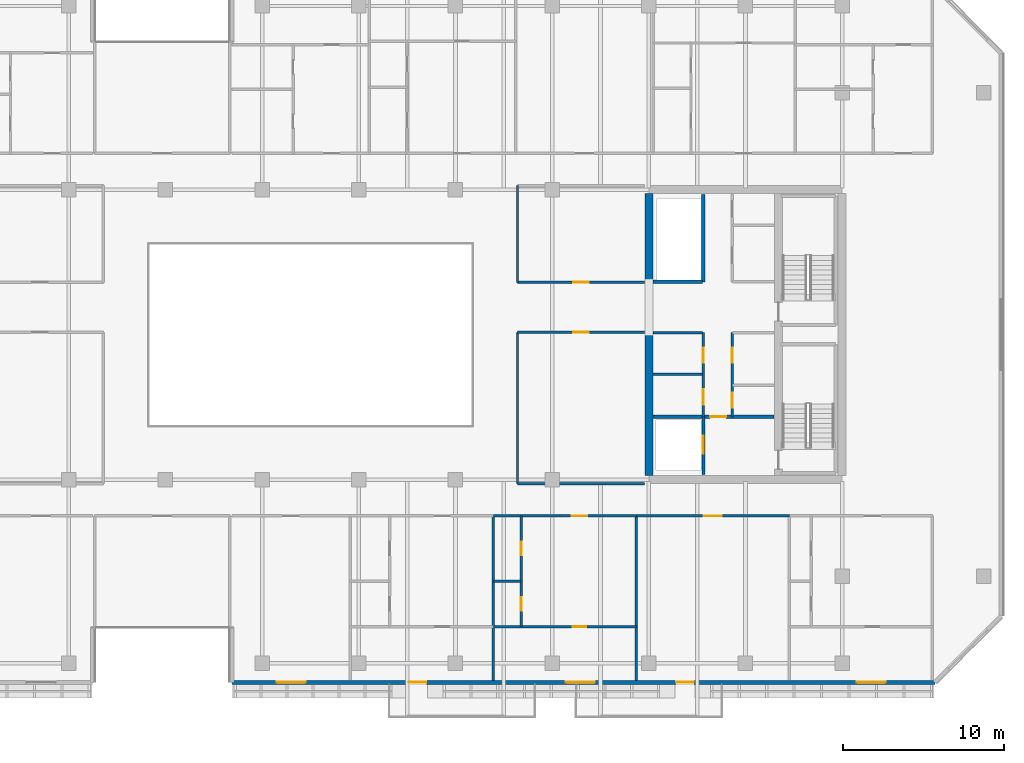
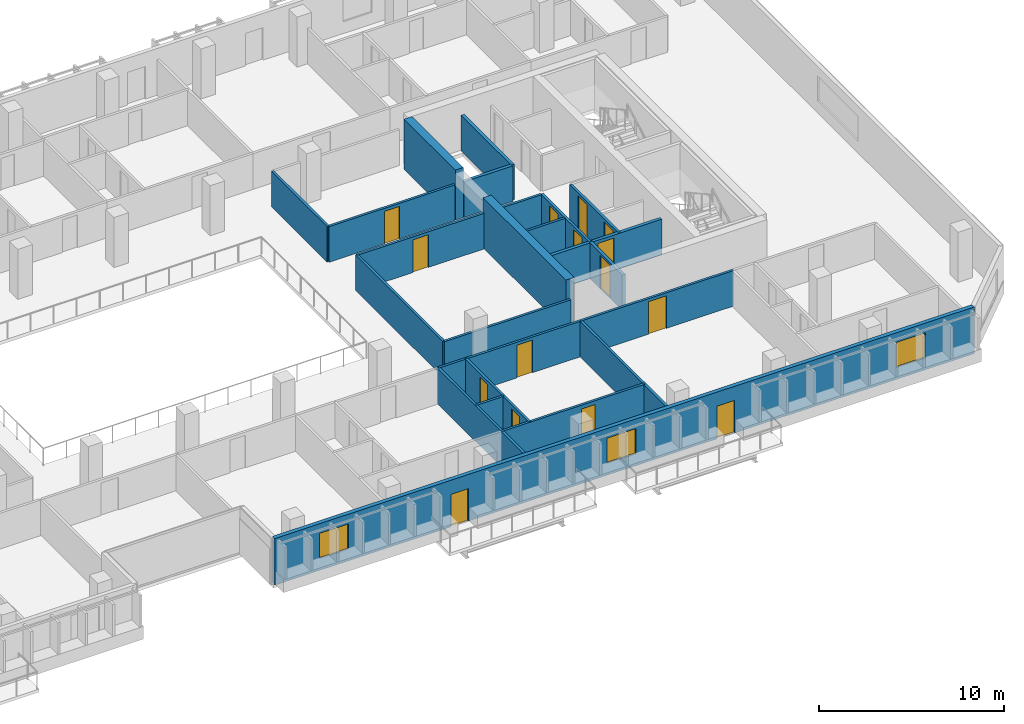
# One storey, part 11 of 20: 23 walls, 15 doors, 3 windows, 18 openings.
"""IFC4 building model written with IfcOpenShell, lengths in metres."""

from ifc_helpers import new_model, si_unit, direction, frame, frame_2d, origin, place, context, subcontext, project, spatial, rectangle, extrude, material, layer, layer_set, type_object, element, fill, save


model = new_model("IFC4")

# Units and contexts
model_context = context("Model", 3, precision=1e-05, world=origin(), true_north=direction((0.0, 1.0)))
body_context = subcontext(model_context, "Body", "Model", "MODEL_VIEW")
ifc_project = project(units=[si_unit("LENGTHUNIT", "METRE"), si_unit("AREAUNIT", "SQUARE_METRE"), si_unit("VOLUMEUNIT", "CUBIC_METRE"), si_unit("PLANEANGLEUNIT", "RADIAN"), si_unit("MASSUNIT", "GRAM", prefix="KILO")], contexts=[model_context])

# Site, building, storey
site_placement = place(None, origin())
site = spatial("IfcSite", under=ifc_project, at=site_placement, CompositionType="ELEMENT")
building_placement = place(site_placement, origin())
building = spatial("IfcBuilding", under=site, at=building_placement, Name="Tanjung Sevakor Pilgrim Tower", CompositionType="ELEMENT")
storey_placement = place(building_placement, frame((0.0, 0.0, 141.89990234375)))
storey = spatial("IfcBuildingStorey", under=building, at=storey_placement, Name="L39", CompositionType="ELEMENT", Elevation=141.89990234375)

# Walls
ifc_material_1 = material(Name="Concrete C60/75", Category="concrete")
ifc_layer_1 = layer(ifc_material_1, 0.5)
ifc_layer_set_1 = layer_set([ifc_layer_1], Name="WALL-CW-500")
wall_type_1 = type_object("IfcWallType", Name="WALL-CW-500", PredefinedType="SHEAR", material=ifc_layer_set_1)
wall_1_placement = place(storey_placement, frame((78.0, 24.85009765625, 0.0), z_axis=(0.0, 0.0, 1.0), x_axis=(0.0, 1.0, 0.0)))
element("IfcWall", 1, at=wall_1_placement, inside=storey, type_object=wall_type_1, Name="L39 E Core Inner Shear Wall South", PredefinedType="SHEAR", context=body_context, shape_type="SweptSolid", body=[
    extrude(rectangle(XDim=8.949951171875, YDim=0.5, at=frame_2d((4.47509765625, 0.0))), origin(), (0.0, 0.0, 1.0), 3.300048828125),
])
wall_2_placement = place(storey_placement, frame((78.0, 36.800048828125, 0.0), z_axis=(0.0, 0.0, 1.0), x_axis=(0.0, 1.0, 0.0)))
element("IfcWall", 2, at=wall_2_placement, inside=storey, type_object=wall_type_1, Name="L39 E Core Inner Shear Wall North", PredefinedType="SHEAR", context=body_context, shape_type="SweptSolid", body=[
    extrude(rectangle(XDim=5.550048828125, YDim=0.5, at=frame_2d((2.77490234375, 0.0))), origin(), (0.0, 0.0, 1.0), 3.300048828125),
])

# Wall, openings, doors
ifc_material_2 = material(Name="Concrete C40/50", Category="concrete")
ifc_layer_2 = layer(ifc_material_2, 0.14990234375)
ifc_layer_set_2 = layer_set([ifc_layer_2], Name="WT-COMP-150")
wall_type_2 = type_object("IfcWallType", Name="WT-COMP-150", PredefinedType="SOLIDWALL", material=ifc_layer_set_2)
wall_3_placement = place(storey_placement, frame((83.179931640625, 28.5, 0.0), z_axis=(0.0, 0.0, 1.0), x_axis=(0.0, 1.0, 0.0)))
wall_3 = element("IfcWall", 3, at=wall_3_placement, inside=storey, type_object=wall_type_2, Name="L39 Partition IW-L39-018", PredefinedType="SOLIDWALL", context=body_context, shape_type="SweptSolid", body=[
    extrude(rectangle(XDim=5.219970703125, YDim=0.14990234375, at=frame_2d((2.60986328125, 0.0))), origin(), (0.0, 0.0, 1.0), 2.35009765625),
])
opening_1_placement = place(wall_3_placement, frame((0.550048828125, 0.0, 0.0)))
opening_1 = element("IfcOpeningElement", 4, at=opening_1_placement, cuts=wall_3, Name="Opening ID-FD2", PredefinedType="OPENING", context=body_context, shape_type="SweptSolid", body=[
    extrude(rectangle(XDim=0.949951171875, YDim=2.14990234375, at=frame_2d((0.47509765625, 1.074951171875))), frame((0.0, 0.0849609375, 0.0), z_axis=(0.0, -1.0, 0.0), x_axis=(1.0, 0.0, 0.0)), (0.0, 0.0, 1.0), 0.169921875),
])
opening_2_placement = place(wall_3_placement, frame((3.35009765625, 0.0, 0.0)))
opening_2 = element("IfcOpeningElement", 5, at=opening_2_placement, cuts=wall_3, Name="Opening ID-FD2", PredefinedType="OPENING", context=body_context, shape_type="SweptSolid", body=[
    extrude(rectangle(XDim=0.949951171875, YDim=2.14990234375, at=frame_2d((0.47509765625, 1.074951171875))), frame((0.0, 0.0849609375, 0.0), z_axis=(0.0, -1.0, 0.0), x_axis=(1.0, 0.0, 0.0)), (0.0, 0.0, 1.0), 0.169921875),
])
ifc_material_3 = material(Name="Fire-Rated Timber", Category="wood")
door_type_1 = type_object("IfcDoorType", Name="DT-FIRE-950", OperationType="NOTDEFINED", PredefinedType="DOOR", material=ifc_material_3)
door_1_placement = place(opening_1_placement, origin())
door_1 = element("IfcDoor", 6, at=door_1_placement, inside=storey, type_object=door_type_1, Name="L39 Cleaner Store Door", OperationType="SINGLE_SWING_RIGHT", OverallHeight=2.14990234375, OverallWidth=0.949951171875, PredefinedType="DOOR", context=body_context, shape_type="SweptSolid", body=[
    extrude(rectangle(XDim=0.949951171875, YDim=2.14990234375, at=frame_2d((0.47509765625, 1.074951171875))), frame((0.0, 0.02490234375, 0.0), z_axis=(0.0, -1.0, 0.0), x_axis=(1.0, 0.0, 0.0)), (0.0, 0.0, 1.0), 0.050048828125),
])
fill(opening_1, door_1)
door_2_placement = place(opening_2_placement, origin())
door_2 = element("IfcDoor", 7, at=door_2_placement, inside=storey, type_object=door_type_1, Name="L39 Housekeeping Pantry Door", OperationType="SINGLE_SWING_LEFT", OverallHeight=2.14990234375, OverallWidth=0.949951171875, PredefinedType="DOOR", context=body_context, shape_type="SweptSolid", body=[
    extrude(rectangle(XDim=0.949951171875, YDim=2.14990234375, at=frame_2d((0.47509765625, 1.074951171875))), frame((0.0, 0.02490234375, 0.0), z_axis=(0.0, -1.0, 0.0), x_axis=(1.0, 0.0, 0.0)), (0.0, 0.0, 1.0), 0.050048828125),
])
fill(opening_2, door_2)

# Walls
for number, where, z_axis, x_axis, name in (
    (8, (78.27001953125, 31.14990234375, 0.0), (0.0, 0.0, 1.0), (1.0, 0.0, 0.0), "L39 Partition IW-L39-019"),
    (9, (78.27001953125, 33.719970703125, 0.0), (0.0, 0.0, 1.0), (1.0, 0.0, 0.0), "L39 Partition IW-L39-020"),
):
    element("IfcWall", number, at=place(storey_placement, frame(where, z_axis=z_axis, x_axis=x_axis)), inside=storey, type_object=wall_type_2, Name=name, PredefinedType="SOLIDWALL", context=body_context, shape_type="SweptSolid", body=[
        extrude(rectangle(XDim=3.050048828125, YDim=0.14990234375, at=frame_2d((1.52490234375, 0.0))), origin(), (0.0, 0.0, 1.0), 2.35009765625),
    ])

# Wall, openings, doors
wall_4_placement = place(storey_placement, frame((81.3798828125, 28.5, 0.0), z_axis=(0.0, 0.0, 1.0), x_axis=(0.0, 1.0, 0.0)))
wall_4 = element("IfcWall", 10, at=wall_4_placement, inside=storey, type_object=wall_type_2, Name="L39 Partition IW-L39-021", PredefinedType="SOLIDWALL", context=body_context, shape_type="SweptSolid", body=[
    extrude(rectangle(XDim=5.219970703125, YDim=0.14990234375, at=frame_2d((2.60986328125, 0.0))), origin(), (0.0, 0.0, 1.0), 2.35009765625),
])
opening_3_placement = place(wall_4_placement, frame((0.75, 0.0, 0.0)))
opening_3 = element("IfcOpeningElement", 11, at=opening_3_placement, cuts=wall_4, Name="Opening ID-FD2", PredefinedType="OPENING", context=body_context, shape_type="SweptSolid", body=[
    extrude(rectangle(XDim=0.949951171875, YDim=2.14990234375, at=frame_2d((0.47509765625, 1.074951171875))), frame((0.0, 0.0849609375, 0.0), z_axis=(0.0, -1.0, 0.0), x_axis=(1.0, 0.0, 0.0)), (0.0, 0.0, 1.0), 0.169921875),
])
opening_4_placement = place(wall_4_placement, frame((3.35009765625, 0.0, 0.0)))
opening_4 = element("IfcOpeningElement", 12, at=opening_4_placement, cuts=wall_4, Name="Opening ID-FD2", PredefinedType="OPENING", context=body_context, shape_type="SweptSolid", body=[
    extrude(rectangle(XDim=0.949951171875, YDim=2.14990234375, at=frame_2d((0.47509765625, 1.074951171875))), frame((0.0, 0.0849609375, 0.0), z_axis=(0.0, -1.0, 0.0), x_axis=(1.0, 0.0, 0.0)), (0.0, 0.0, 1.0), 0.169921875),
])
door_3_placement = place(opening_3_placement, origin())
door_3 = element("IfcDoor", 13, at=door_3_placement, inside=storey, type_object=door_type_1, Name="L39 Accessible WC Door", OperationType="SINGLE_SWING_RIGHT", OverallHeight=2.14990234375, OverallWidth=0.949951171875, PredefinedType="DOOR", context=body_context, shape_type="SweptSolid", body=[
    extrude(rectangle(XDim=0.949951171875, YDim=2.14990234375, at=frame_2d((0.47509765625, 1.074951171875))), frame((0.0, 0.02490234375, 0.0), z_axis=(0.0, -1.0, 0.0), x_axis=(1.0, 0.0, 0.0)), (0.0, 0.0, 1.0), 0.050048828125),
])
fill(opening_3, door_3)
door_4_placement = place(opening_4_placement, origin())
door_4 = element("IfcDoor", 14, at=door_4_placement, inside=storey, type_object=door_type_1, Name="L39 Core Service Door", OperationType="SINGLE_SWING_LEFT", OverallHeight=2.14990234375, OverallWidth=0.949951171875, PredefinedType="DOOR", context=body_context, shape_type="SweptSolid", body=[
    extrude(rectangle(XDim=0.949951171875, YDim=2.14990234375, at=frame_2d((0.47509765625, 1.074951171875))), frame((0.0, 0.02490234375, 0.0), z_axis=(0.0, -1.0, 0.0), x_axis=(1.0, 0.0, 0.0)), (0.0, 0.0, 1.0), 0.050048828125),
])
fill(opening_4, door_4)

# Wall
wall_5_placement = place(storey_placement, frame((69.85009765625, 24.35009765625, 0.0), z_axis=(0.0, 0.0, 1.0), x_axis=(1.0, 0.0, 0.0)))
element("IfcWall", 15, at=wall_5_placement, inside=storey, type_object=wall_type_2, Name="L39 Partition IW-L39-033", PredefinedType="SOLIDWALL", context=body_context, shape_type="SweptSolid", body=[
    extrude(rectangle(XDim=7.8798828125, YDim=0.14990234375, at=frame_2d((3.93994140625, 0.0))), origin(), (0.0, 0.0, 1.0), 2.35009765625),
])

# Wall, opening, door
wall_6_placement = place(storey_placement, frame((69.85009765625, 33.75, 0.0), z_axis=(0.0, 0.0, 1.0), x_axis=(1.0, 0.0, 0.0)))
wall_6 = element("IfcWall", 16, at=wall_6_placement, inside=storey, type_object=wall_type_2, Name="L39 Partition IW-L39-034", PredefinedType="SOLIDWALL", context=body_context, shape_type="SweptSolid", body=[
    extrude(rectangle(XDim=7.8798828125, YDim=0.14990234375, at=frame_2d((3.93994140625, 0.0))), origin(), (0.0, 0.0, 1.0), 2.35009765625),
])
opening_5_placement = place(wall_6_placement, frame((3.465087890625, 0.0, 0.0)))
opening_5 = element("IfcOpeningElement", 17, at=opening_5_placement, cuts=wall_6, Name="Opening ID-RM1", PredefinedType="OPENING", context=body_context, shape_type="SweptSolid", body=[
    extrude(rectangle(XDim=0.949951171875, YDim=2.14990234375, at=frame_2d((0.47509765625, 1.074951171875))), frame((0.0, 0.0849609375, 0.0), z_axis=(0.0, -1.0, 0.0), x_axis=(1.0, 0.0, 0.0)), (0.0, 0.0, 1.0), 0.169921875),
])
ifc_material_4 = material(Name="Hardwood Timber", Category="wood")
door_type_2 = type_object("IfcDoorType", Name="DT-INT-950", OperationType="NOTDEFINED", PredefinedType="DOOR", material=ifc_material_4)
door_5_placement = place(opening_5_placement, origin())
door_5 = element("IfcDoor", 18, at=door_5_placement, inside=storey, type_object=door_type_2, Name="L39 East Inboard South Door", OperationType="SINGLE_SWING_RIGHT", OverallHeight=2.14990234375, OverallWidth=0.949951171875, PredefinedType="DOOR", context=body_context, shape_type="SweptSolid", body=[
    extrude(rectangle(XDim=0.949951171875, YDim=2.14990234375, at=frame_2d((0.47509765625, 1.074951171875))), frame((0.0, 0.02490234375, 0.0), z_axis=(0.0, -1.0, 0.0), x_axis=(1.0, 0.0, 0.0)), (0.0, 0.0, 1.0), 0.050048828125),
])
fill(opening_5, door_5)

# Wall
wall_7_placement = place(storey_placement, frame((69.85009765625, 24.35009765625, 0.0), z_axis=(0.0, 0.0, 1.0), x_axis=(0.0, 1.0, 0.0)))
element("IfcWall", 19, at=wall_7_placement, inside=storey, type_object=wall_type_2, Name="L39 Partition IW-L39-035", PredefinedType="SOLIDWALL", context=body_context, shape_type="SweptSolid", body=[
    extrude(rectangle(XDim=9.39990234375, YDim=0.14990234375, at=frame_2d((4.699951171875, 0.0))), origin(), (0.0, 0.0, 1.0), 2.35009765625),
])

# Wall, opening, door
wall_8_placement = place(storey_placement, frame((69.85009765625, 36.85009765625, 0.0), z_axis=(0.0, 0.0, 1.0), x_axis=(1.0, 0.0, 0.0)))
wall_8 = element("IfcWall", 20, at=wall_8_placement, inside=storey, type_object=wall_type_2, Name="L39 Partition IW-L39-036", PredefinedType="SOLIDWALL", context=body_context, shape_type="SweptSolid", body=[
    extrude(rectangle(XDim=7.8798828125, YDim=0.14990234375, at=frame_2d((3.93994140625, 0.0))), origin(), (0.0, 0.0, 1.0), 2.35009765625),
])
opening_6_placement = place(wall_8_placement, frame((3.465087890625, 0.0, 0.0)))
opening_6 = element("IfcOpeningElement", 21, at=opening_6_placement, cuts=wall_8, Name="Opening ID-RM1", PredefinedType="OPENING", context=body_context, shape_type="SweptSolid", body=[
    extrude(rectangle(XDim=0.949951171875, YDim=2.14990234375, at=frame_2d((0.47509765625, 1.074951171875))), frame((0.0, 0.0849609375, 0.0), z_axis=(0.0, -1.0, 0.0), x_axis=(1.0, 0.0, 0.0)), (0.0, 0.0, 1.0), 0.169921875),
])
door_6_placement = place(opening_6_placement, origin())
door_6 = element("IfcDoor", 22, at=door_6_placement, inside=storey, type_object=door_type_2, Name="L39 East Inboard North Door", OperationType="SINGLE_SWING_LEFT", OverallHeight=2.14990234375, OverallWidth=0.949951171875, PredefinedType="DOOR", context=body_context, shape_type="SweptSolid", body=[
    extrude(rectangle(XDim=0.949951171875, YDim=2.14990234375, at=frame_2d((0.47509765625, 1.074951171875))), frame((0.0, 0.02490234375, 0.0), z_axis=(0.0, -1.0, 0.0), x_axis=(1.0, 0.0, 0.0)), (0.0, 0.0, 1.0), 0.050048828125),
])
fill(opening_6, door_6)

# Walls
wall_9_placement = place(storey_placement, frame((69.85009765625, 36.85009765625, 0.0), z_axis=(0.0, 0.0, 1.0), x_axis=(0.0, 1.0, 0.0)))
element("IfcWall", 23, at=wall_9_placement, inside=storey, type_object=wall_type_2, Name="L39 Partition IW-L39-038", PredefinedType="SOLIDWALL", context=body_context, shape_type="SweptSolid", body=[
    extrude(rectangle(XDim=6.0, YDim=0.14990234375, at=frame_2d((3.0, 0.0))), origin(), (0.0, 0.0, 1.0), 2.35009765625),
])
for number, where, z_axis, x_axis, name in (
    (24, (68.348388671875, 12.14990234375, 0.0), (0.0, 0.0, 1.0), (0.0, 1.0, 0.0), "L39 Partition IW-L39-059"),
    (25, (77.22802734375, 12.14990234375, 0.0), (0.0, 0.0, 1.0), (0.0, 1.0, 0.0), "L39 Partition IW-L39-064"),
):
    element("IfcWall", number, at=place(storey_placement, frame(where, z_axis=z_axis, x_axis=x_axis)), inside=storey, type_object=wall_type_2, Name=name, PredefinedType="SOLIDWALL", context=body_context, shape_type="SweptSolid", body=[
        extrude(rectangle(XDim=10.2001953125, YDim=0.14990234375, at=frame_2d((5.10009765625, 0.0))), origin(), (0.0, 0.0, 1.0), 2.35009765625),
    ])

# Wall, opening, door
wall_10_placement = place(storey_placement, frame((68.348388671875, 22.35009765625, 0.0), z_axis=(0.0, 0.0, 1.0), x_axis=(1.0, 0.0, 0.0)))
wall_10 = element("IfcWall", 26, at=wall_10_placement, inside=storey, type_object=wall_type_2, Name="L39 Partition IW-L39-068", PredefinedType="SOLIDWALL", context=body_context, shape_type="SweptSolid", body=[
    extrude(rectangle(XDim=8.879638671875, YDim=0.14990234375, at=frame_2d((4.43994140625, 0.0))), origin(), (0.0, 0.0, 1.0), 2.35009765625),
])
opening_7_placement = place(wall_10_placement, frame((4.87060546875, 0.0, 0.0)))
opening_7 = element("IfcOpeningElement", 27, at=opening_7_placement, cuts=wall_10, Name="Opening ID-FD2", PredefinedType="OPENING", context=body_context, shape_type="SweptSolid", body=[
    extrude(rectangle(XDim=0.949951171875, YDim=2.14990234375, at=frame_2d((0.47509765625, 1.074951171875))), frame((0.0, 0.0849609375, 0.0), z_axis=(0.0, -1.0, 0.0), x_axis=(1.0, 0.0, 0.0)), (0.0, 0.0, 1.0), 0.169921875),
])
door_7_placement = place(opening_7_placement, origin())
door_7 = element("IfcDoor", 28, at=door_7_placement, inside=storey, type_object=door_type_1, Name="Residence Entrance", OperationType="SINGLE_SWING_RIGHT", OverallHeight=2.14990234375, OverallWidth=0.949951171875, PredefinedType="DOOR", context=body_context, shape_type="SweptSolid", body=[
    extrude(rectangle(XDim=0.949951171875, YDim=2.14990234375, at=frame_2d((0.47509765625, 1.074951171875))), frame((0.0, 0.02490234375, 0.0), z_axis=(0.0, -1.0, 0.0), x_axis=(1.0, 0.0, 0.0)), (0.0, 0.0, 1.0), 0.050048828125),
])
fill(opening_7, door_7)

wall_11_placement = place(storey_placement, frame((77.22802734375, 22.35009765625, 0.0), z_axis=(0.0, 0.0, 1.0), x_axis=(1.0, 0.0, 0.0)))
wall_11 = element("IfcWall", 29, at=wall_11_placement, inside=storey, type_object=wall_type_2, Name="L39 Partition IW-L39-070", PredefinedType="SOLIDWALL", context=body_context, shape_type="SweptSolid", body=[
    extrude(rectangle(XDim=9.4921875, YDim=0.14990234375, at=frame_2d((4.74609375, 0.0))), origin(), (0.0, 0.0, 1.0), 2.35009765625),
])
opening_8_placement = place(wall_11_placement, frame((4.196044921875, 0.0, 0.0)))
opening_8 = element("IfcOpeningElement", 30, at=opening_8_placement, cuts=wall_11, Name="Opening ID-FD0", PredefinedType="OPENING", context=body_context, shape_type="SweptSolid", body=[
    extrude(rectangle(XDim=1.10009765625, YDim=2.14990234375, at=frame_2d((0.550048828125, 1.074951171875))), frame((0.0, 0.0849609375, 0.0), z_axis=(0.0, -1.0, 0.0), x_axis=(1.0, 0.0, 0.0)), (0.0, 0.0, 1.0), 0.169921875),
])
ifc_material_5 = material(Name="Fire-Rated Steel S355J2", Category="steel")
door_type_3 = type_object("IfcDoorType", Name="DT-FIRE-1100", OperationType="NOTDEFINED", PredefinedType="DOOR", material=ifc_material_5)
door_8_placement = place(opening_8_placement, origin())
door_8 = element("IfcDoor", 31, at=door_8_placement, inside=storey, type_object=door_type_3, Name="Council Room Door", OperationType="SINGLE_SWING_LEFT", OverallHeight=2.14990234375, OverallWidth=1.10009765625, PredefinedType="DOOR", context=body_context, shape_type="SweptSolid", body=[
    extrude(rectangle(XDim=1.10009765625, YDim=2.14990234375, at=frame_2d((0.550048828125, 1.074951171875))), frame((0.0, 0.02490234375, 0.0), z_axis=(0.0, -1.0, 0.0), x_axis=(1.0, 0.0, 0.0)), (0.0, 0.0, 1.0), 0.050048828125),
])
fill(opening_8, door_8)

# Wall, openings, doors, windows
ifc_material_6 = material(Name="Precast concrete C45/55", Category="concrete")
ifc_layer_3 = layer(ifc_material_6, 0.25)
ifc_layer_set_3 = layer_set([ifc_layer_3], Name="WT-EW-STN3")
wall_type_3 = type_object("IfcWallType", Name="WT-EW-STN3", PredefinedType="SOLIDWALL", material=ifc_layer_set_3)
wall_12_placement = place(storey_placement, frame((52.125, 12.02490234375, 0.0), z_axis=(0.0, 0.0, 1.0), x_axis=(1.0, 0.0, 0.0)))
wall_12 = element("IfcWall", 32, at=wall_12_placement, inside=storey, type_object=wall_type_3, Name="L39 MAIN Exterior Wall 5", PredefinedType="SOLIDWALL", context=body_context, shape_type="SweptSolid", body=[
    extrude(rectangle(XDim=43.623291015625, YDim=0.25, at=frame_2d((21.8115234375, 0.0))), origin(), (0.0, 0.0, 1.0), 3.080078125),
])
opening_9_placement = place(wall_12_placement, frame((10.97509765625, 0.0, 0.0)))
opening_9 = element("IfcOpeningElement", 33, at=opening_9_placement, cuts=wall_12, Name="Opening ED-BAL-1100", PredefinedType="OPENING", context=body_context, shape_type="SweptSolid", body=[
    extrude(rectangle(XDim=1.10009765625, YDim=2.14990234375, at=frame_2d((0.550048828125, 1.074951171875))), frame((0.0, 0.135009765625, 0.0), z_axis=(0.0, -1.0, 0.0), x_axis=(1.0, 0.0, 0.0)), (0.0, 0.0, 1.0), 0.27001953125),
])
opening_10_placement = place(wall_12_placement, frame((27.574951171875, 0.0, 0.0)))
opening_10 = element("IfcOpeningElement", 34, at=opening_10_placement, cuts=wall_12, Name="Opening ED-BAL-1100", PredefinedType="OPENING", context=body_context, shape_type="SweptSolid", body=[
    extrude(rectangle(XDim=1.10009765625, YDim=2.14990234375, at=frame_2d((0.550048828125, 1.074951171875))), frame((0.0, 0.135009765625, 0.0), z_axis=(0.0, -1.0, 0.0), x_axis=(1.0, 0.0, 0.0)), (0.0, 0.0, 1.0), 0.27001953125),
])
opening_11_placement = place(wall_12_placement, frame((2.769287109375, 0.0, 0.780029296875)))
opening_11 = element("IfcOpeningElement", 35, at=opening_11_placement, cuts=wall_12, Name="Opening WN-Z3-1660", PredefinedType="OPENING", context=body_context, shape_type="SweptSolid", body=[
    extrude(rectangle(XDim=1.800048828125, YDim=1.659912109375, at=frame_2d((0.89990234375, 0.830078125))), frame((0.0, 0.135009765625, 0.0), z_axis=(0.0, -1.0, 0.0), x_axis=(1.0, 0.0, 0.0)), (0.0, 0.0, 1.0), 0.27001953125),
])
opening_12_placement = place(wall_12_placement, frame((20.723388671875, 0.0, 0.780029296875)))
opening_12 = element("IfcOpeningElement", 36, at=opening_12_placement, cuts=wall_12, Name="Opening WN-Z3-1660", PredefinedType="OPENING", context=body_context, shape_type="SweptSolid", body=[
    extrude(rectangle(XDim=1.800048828125, YDim=1.659912109375, at=frame_2d((0.89990234375, 0.830078125))), frame((0.0, 0.135009765625, 0.0), z_axis=(0.0, -1.0, 0.0), x_axis=(1.0, 0.0, 0.0)), (0.0, 0.0, 1.0), 0.27001953125),
])
opening_13_placement = place(wall_12_placement, frame((38.775146484375, 0.0, 0.780029296875)))
opening_13 = element("IfcOpeningElement", 37, at=opening_13_placement, cuts=wall_12, Name="Opening WN-Z3-1660", PredefinedType="OPENING", context=body_context, shape_type="SweptSolid", body=[
    extrude(rectangle(XDim=1.800048828125, YDim=1.659912109375, at=frame_2d((0.89990234375, 0.830078125))), frame((0.0, 0.135009765625, 0.0), z_axis=(0.0, -1.0, 0.0), x_axis=(1.0, 0.0, 0.0)), (0.0, 0.0, 1.0), 0.27001953125),
])
ifc_material_7 = material(Name="Anodised Aluminium and Laminated Glass", Category="aluminium")
door_type_4 = type_object("IfcDoorType", Name="DTYP-ED-BAL-1100", OperationType="NOTDEFINED", PredefinedType="DOOR", material=ifc_material_7)
door_9_placement = place(opening_9_placement, frame((1.10009765625, 0.0, 0.0), z_axis=(0.0, 0.0, 1.0), x_axis=(-1.0, 0.0, 0.0)))
door_9 = element("IfcDoor", 38, at=door_9_placement, inside=storey, type_object=door_type_4, Name="L39 Balcony Door MAIN-S2", OperationType="SINGLE_SWING_LEFT", OverallHeight=2.14990234375, OverallWidth=1.10009765625, PredefinedType="DOOR", context=body_context, shape_type="SweptSolid", body=[
    extrude(rectangle(XDim=1.10009765625, YDim=2.14990234375, at=frame_2d((0.550048828125, 1.074951171875))), frame((0.0, 0.02490234375, 0.0), z_axis=(0.0, -1.0, 0.0), x_axis=(1.0, 0.0, 0.0)), (0.0, 0.0, 1.0), 0.050048828125),
])
fill(opening_9, door_9)
door_10_placement = place(opening_10_placement, frame((1.10009765625, 0.0, 0.0), z_axis=(0.0, 0.0, 1.0), x_axis=(-1.0, 0.0, 0.0)))
door_10 = element("IfcDoor", 39, at=door_10_placement, inside=storey, type_object=door_type_4, Name="L39 Balcony Door MAIN-S3", OperationType="SINGLE_SWING_RIGHT", OverallHeight=2.14990234375, OverallWidth=1.10009765625, PredefinedType="DOOR", context=body_context, shape_type="SweptSolid", body=[
    extrude(rectangle(XDim=1.10009765625, YDim=2.14990234375, at=frame_2d((0.550048828125, 1.074951171875))), frame((0.0, 0.02490234375, 0.0), z_axis=(0.0, -1.0, 0.0), x_axis=(1.0, 0.0, 0.0)), (0.0, 0.0, 1.0), 0.050048828125),
])
fill(opening_10, door_10)
ifc_material_8 = material(Name="Thermally Broken Aluminium and Low-E Glass", Category="aluminium")
window_type = type_object("IfcWindowType", Name="WTYP-WN-Z3-1660", PartitioningType="DOUBLE_PANEL_VERTICAL", PredefinedType="WINDOW", material=ifc_material_8)
window_1_placement = place(opening_11_placement, origin())
window_1 = element("IfcWindow", 40, at=window_1_placement, inside=storey, type_object=window_type, Name="L39 Facade Window 01", OverallHeight=1.659912109375, OverallWidth=1.800048828125, PartitioningType="SINGLE_PANEL", PredefinedType="WINDOW", context=body_context, shape_type="SweptSolid", body=[
    extrude(rectangle(XDim=1.800048828125, YDim=1.659912109375, at=frame_2d((0.89990234375, 0.830078125))), frame((0.0, 0.030029296875, 0.0), z_axis=(0.0, -1.0, 0.0), x_axis=(1.0, 0.0, 0.0)), (0.0, 0.0, 1.0), 0.06005859375),
])
fill(opening_11, window_1)
window_2_placement = place(opening_12_placement, origin())
window_2 = element("IfcWindow", 41, at=window_2_placement, inside=storey, type_object=window_type, Name="L39 Facade Window 02", OverallHeight=1.659912109375, OverallWidth=1.800048828125, PartitioningType="SINGLE_PANEL", PredefinedType="WINDOW", context=body_context, shape_type="SweptSolid", body=[
    extrude(rectangle(XDim=1.800048828125, YDim=1.659912109375, at=frame_2d((0.89990234375, 0.830078125))), frame((0.0, 0.030029296875, 0.0), z_axis=(0.0, -1.0, 0.0), x_axis=(1.0, 0.0, 0.0)), (0.0, 0.0, 1.0), 0.06005859375),
])
fill(opening_12, window_2)
window_3_placement = place(opening_13_placement, origin())
window_3 = element("IfcWindow", 42, at=window_3_placement, inside=storey, type_object=window_type, Name="L39 Facade Window 03", OverallHeight=1.659912109375, OverallWidth=1.800048828125, PartitioningType="SINGLE_PANEL", PredefinedType="WINDOW", context=body_context, shape_type="SweptSolid", body=[
    extrude(rectangle(XDim=1.800048828125, YDim=1.659912109375, at=frame_2d((0.89990234375, 0.830078125))), frame((0.0, 0.030029296875, 0.0), z_axis=(0.0, -1.0, 0.0), x_axis=(1.0, 0.0, 0.0)), (0.0, 0.0, 1.0), 0.06005859375),
])
fill(opening_13, window_3)

# Wall, opening, door
ifc_material_9 = material(Name="Concrete C40/50", Category="concrete")
ifc_layer_4 = layer(ifc_material_9, 0.199951171875)
ifc_layer_set_4 = layer_set([ifc_layer_4], Name="WT-FPRT-200")
wall_type_4 = type_object("IfcWallType", Name="WT-FPRT-200", PredefinedType="SOLIDWALL", material=ifc_layer_set_4)
wall_13_placement = place(storey_placement, frame((81.39990234375, 24.919921875, 0.0), z_axis=(0.0, 0.0, 1.0), x_axis=(0.0, 1.0, 0.0)))
wall_13 = element("IfcWall", 43, at=wall_13_placement, inside=storey, type_object=wall_type_4, Name="L39 Partition IW-L39-014", PredefinedType="SOLIDWALL", context=body_context, shape_type="SweptSolid", body=[
    extrude(rectangle(XDim=3.580078125, YDim=0.199951171875, at=frame_2d((1.7900390625, 0.0))), origin(), (0.0, 0.0, 1.0), 2.35009765625),
])
opening_14_placement = place(wall_13_placement, frame((1.300048828125, 0.0, 0.0)))
opening_14 = element("IfcOpeningElement", 44, at=opening_14_placement, cuts=wall_13, Name="Opening LD-1100", PredefinedType="OPENING", context=body_context, shape_type="SweptSolid", body=[
    extrude(rectangle(XDim=1.10009765625, YDim=2.199951171875, at=frame_2d((0.550048828125, 1.10009765625))), frame((0.0, 0.10986328125, 0.0), z_axis=(0.0, -1.0, 0.0), x_axis=(1.0, 0.0, 0.0)), (0.0, 0.0, 1.0), 0.219970703125),
])
ifc_material_10 = material(Name="Brushed Stainless Steel S355J2", Category="steel")
door_type_5 = type_object("IfcDoorType", Name="DT-LIFT-1100", OperationType="SLIDING_TO_LEFT", PredefinedType="DOOR", material=ifc_material_10)
door_11_placement = place(opening_14_placement, origin())
door_11 = element("IfcDoor", 45, at=door_11_placement, inside=storey, type_object=door_type_5, Name="LD-FL-E", OperationType="SLIDING_TO_LEFT", OverallHeight=2.199951171875, OverallWidth=1.10009765625, PredefinedType="DOOR", context=body_context, shape_type="SweptSolid", body=[
    extrude(rectangle(XDim=1.10009765625, YDim=2.199951171875, at=frame_2d((0.550048828125, 1.10009765625))), frame((0.0, 0.02490234375, 0.0), z_axis=(0.0, -1.0, 0.0), x_axis=(1.0, 0.0, 0.0)), (0.0, 0.0, 1.0), 0.050048828125),
])
fill(opening_14, door_11)

wall_14_placement = place(storey_placement, frame((78.27001953125, 28.5, 0.0), z_axis=(0.0, 0.0, 1.0), x_axis=(1.0, 0.0, 0.0)))
wall_14 = element("IfcWall", 46, at=wall_14_placement, inside=storey, type_object=wall_type_4, Name="L39 Partition IW-L39-015", PredefinedType="SOLIDWALL", context=body_context, shape_type="SweptSolid", body=[
    extrude(rectangle(XDim=7.510009765625, YDim=0.199951171875, at=frame_2d((3.7548828125, 0.0))), origin(), (0.0, 0.0, 1.0), 2.35009765625),
])
opening_15_placement = place(wall_14_placement, frame((3.530029296875, 0.0, 0.0)))
opening_15 = element("IfcOpeningElement", 47, at=opening_15_placement, cuts=wall_14, Name="Opening ID-FD1", PredefinedType="OPENING", context=body_context, shape_type="SweptSolid", body=[
    extrude(rectangle(XDim=1.0, YDim=2.14990234375, at=frame_2d((0.5, 1.074951171875))), frame((0.0, 0.10986328125, 0.0), z_axis=(0.0, -1.0, 0.0), x_axis=(1.0, 0.0, 0.0)), (0.0, 0.0, 1.0), 0.219970703125),
])
ifc_material_11 = material(Name="Fire-Rated Steel S355J2", Category="steel")
door_type_6 = type_object("IfcDoorType", Name="DT-FIRE-1000", OperationType="NOTDEFINED", PredefinedType="DOOR", material=ifc_material_11)
door_12_placement = place(opening_15_placement, origin())
door_12 = element("IfcDoor", 48, at=door_12_placement, inside=storey, type_object=door_type_6, Name="Fire Lobby Door E", OperationType="SINGLE_SWING_LEFT", OverallHeight=2.14990234375, OverallWidth=1.0, PredefinedType="DOOR", context=body_context, shape_type="SweptSolid", body=[
    extrude(rectangle(XDim=1.0, YDim=2.14990234375, at=frame_2d((0.5, 1.074951171875))), frame((0.0, 0.02490234375, 0.0), z_axis=(0.0, -1.0, 0.0), x_axis=(1.0, 0.0, 0.0)), (0.0, 0.0, 1.0), 0.050048828125),
])
fill(opening_15, door_12)

# Walls
wall_15_placement = place(storey_placement, frame((78.27001953125, 36.8798828125, 0.0), z_axis=(0.0, 0.0, 1.0), x_axis=(1.0, 0.0, 0.0)))
element("IfcWall", 49, at=wall_15_placement, inside=storey, type_object=wall_type_4, Name="L39 Partition IW-L39-025", PredefinedType="SOLIDWALL", context=body_context, shape_type="SweptSolid", body=[
    extrude(rectangle(XDim=3.050048828125, YDim=0.199951171875, at=frame_2d((1.52490234375, 0.0))), origin(), (0.0, 0.0, 1.0), 2.35009765625),
])
wall_16_placement = place(storey_placement, frame((81.3798828125, 36.8798828125, 0.0), z_axis=(0.0, 0.0, 1.0), x_axis=(0.0, 1.0, 0.0)))
element("IfcWall", 50, at=wall_16_placement, inside=storey, type_object=wall_type_4, Name="L39 Partition IW-L39-026", PredefinedType="SOLIDWALL", context=body_context, shape_type="SweptSolid", body=[
    extrude(rectangle(XDim=5.420166015625, YDim=0.199951171875, at=frame_2d((2.7099609375, 0.0))), origin(), (0.0, 0.0, 1.0), 2.35009765625),
])
ifc_material_12 = material(Name="Gypsum Board Partition", Category="gypsum board")
ifc_layer_5 = layer(ifc_material_12, 0.14990234375)
ifc_layer_set_5 = layer_set([ifc_layer_5], Name="WT-PART-150")
wall_type_5 = type_object("IfcWallType", Name="WT-PART-150", PredefinedType="PARTITIONING", material=ifc_layer_set_5)
wall_17_placement = place(storey_placement, frame((68.348388671875, 18.2919921875, 0.0), z_axis=(0.0, 0.0, 1.0), x_axis=(1.0, 0.0, 0.0)))
element("IfcWall", 51, at=wall_17_placement, inside=storey, type_object=wall_type_5, Name="L39 Partition IW-L39-065", PredefinedType="PARTITIONING", context=body_context, shape_type="SweptSolid", body=[
    extrude(rectangle(XDim=1.731689453125, YDim=0.14990234375, at=frame_2d((0.86572265625, 0.0))), origin(), (0.0, 0.0, 1.0), 2.35009765625),
])

# Wall, openings, doors
wall_18_placement = place(storey_placement, frame((70.080078125, 15.47216796875, 0.0), z_axis=(0.0, 0.0, 1.0), x_axis=(0.0, 1.0, 0.0)))
wall_18 = element("IfcWall", 52, at=wall_18_placement, inside=storey, type_object=wall_type_5, Name="L39 Partition IW-L39-066", PredefinedType="PARTITIONING", context=body_context, shape_type="SweptSolid", body=[
    extrude(rectangle(XDim=6.8779296875, YDim=0.14990234375, at=frame_2d((3.43896484375, 0.0))), origin(), (0.0, 0.0, 1.0), 2.35009765625),
])
opening_16_placement = place(wall_18_placement, frame((0.985107421875, 0.0, 0.0)))
opening_16 = element("IfcOpeningElement", 53, at=opening_16_placement, cuts=wall_18, Name="Opening ID-WC1", PredefinedType="OPENING", context=body_context, shape_type="SweptSolid", body=[
    extrude(rectangle(XDim=0.85009765625, YDim=2.10009765625, at=frame_2d((0.425048828125, 1.050048828125))), frame((0.0, 0.0849609375, 0.0), z_axis=(0.0, -1.0, 0.0), x_axis=(1.0, 0.0, 0.0)), (0.0, 0.0, 1.0), 0.169921875),
])
opening_17_placement = place(wall_18_placement, frame((4.423828125, 0.0, 0.0)))
opening_17 = element("IfcOpeningElement", 54, at=opening_17_placement, cuts=wall_18, Name="Opening ID-WC1", PredefinedType="OPENING", context=body_context, shape_type="SweptSolid", body=[
    extrude(rectangle(XDim=0.85009765625, YDim=2.10009765625, at=frame_2d((0.425048828125, 1.050048828125))), frame((0.0, 0.0849609375, 0.0), z_axis=(0.0, -1.0, 0.0), x_axis=(1.0, 0.0, 0.0)), (0.0, 0.0, 1.0), 0.169921875),
])
ifc_material_13 = material(Name="Moisture-Resistant Timber", Category="wood")
door_type_7 = type_object("IfcDoorType", Name="DT-INT-850", OperationType="NOTDEFINED", PredefinedType="DOOR", material=ifc_material_13)
door_13_placement = place(opening_16_placement, origin())
door_13 = element("IfcDoor", 55, at=door_13_placement, inside=storey, type_object=door_type_7, Name="Residence Bathroom Door", OperationType="SINGLE_SWING_LEFT", OverallHeight=2.10009765625, OverallWidth=0.85009765625, PredefinedType="DOOR", context=body_context, shape_type="SweptSolid", body=[
    extrude(rectangle(XDim=0.85009765625, YDim=2.10009765625, at=frame_2d((0.425048828125, 1.050048828125))), frame((0.0, 0.02490234375, 0.0), z_axis=(0.0, -1.0, 0.0), x_axis=(1.0, 0.0, 0.0)), (0.0, 0.0, 1.0), 0.050048828125),
])
fill(opening_16, door_13)
door_14_placement = place(opening_17_placement, origin())
door_14 = element("IfcDoor", 56, at=door_14_placement, inside=storey, type_object=door_type_7, Name="Residence Kitchenette Door", OperationType="SINGLE_SWING_RIGHT", OverallHeight=2.10009765625, OverallWidth=0.85009765625, PredefinedType="DOOR", context=body_context, shape_type="SweptSolid", body=[
    extrude(rectangle(XDim=0.85009765625, YDim=2.10009765625, at=frame_2d((0.425048828125, 1.050048828125))), frame((0.0, 0.02490234375, 0.0), z_axis=(0.0, -1.0, 0.0), x_axis=(1.0, 0.0, 0.0)), (0.0, 0.0, 1.0), 0.050048828125),
])
fill(opening_17, door_14)

# Wall, opening, door
wall_19_placement = place(storey_placement, frame((68.348388671875, 15.47216796875, 0.0), z_axis=(0.0, 0.0, 1.0), x_axis=(1.0, 0.0, 0.0)))
wall_19 = element("IfcWall", 57, at=wall_19_placement, inside=storey, type_object=wall_type_5, Name="L39 Partition IW-L39-067", PredefinedType="PARTITIONING", context=body_context, shape_type="SweptSolid", body=[
    extrude(rectangle(XDim=8.879638671875, YDim=0.14990234375, at=frame_2d((4.43994140625, 0.0))), origin(), (0.0, 0.0, 1.0), 2.35009765625),
])
opening_18_placement = place(wall_19_placement, frame((4.920654296875, 0.0, 0.0)))
opening_18 = element("IfcOpeningElement", 58, at=opening_18_placement, cuts=wall_19, Name="Opening ID-WC1", PredefinedType="OPENING", context=body_context, shape_type="SweptSolid", body=[
    extrude(rectangle(XDim=0.85009765625, YDim=2.10009765625, at=frame_2d((0.425048828125, 1.050048828125))), frame((0.0, 0.0849609375, 0.0), z_axis=(0.0, -1.0, 0.0), x_axis=(1.0, 0.0, 0.0)), (0.0, 0.0, 1.0), 0.169921875),
])
door_15_placement = place(opening_18_placement, origin())
door_15 = element("IfcDoor", 59, at=door_15_placement, inside=storey, type_object=door_type_7, Name="Residence Bedroom Door", OperationType="SINGLE_SWING_LEFT", OverallHeight=2.10009765625, OverallWidth=0.85009765625, PredefinedType="DOOR", context=body_context, shape_type="SweptSolid", body=[
    extrude(rectangle(XDim=0.85009765625, YDim=2.10009765625, at=frame_2d((0.425048828125, 1.050048828125))), frame((0.0, 0.02490234375, 0.0), z_axis=(0.0, -1.0, 0.0), x_axis=(1.0, 0.0, 0.0)), (0.0, 0.0, 1.0), 0.050048828125),
])
fill(opening_18, door_15)

save(model, "model.ifc")
